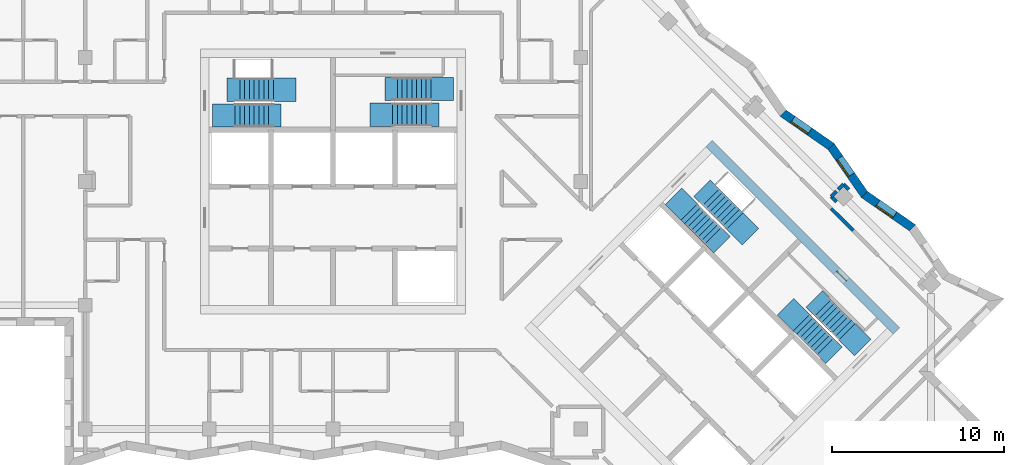
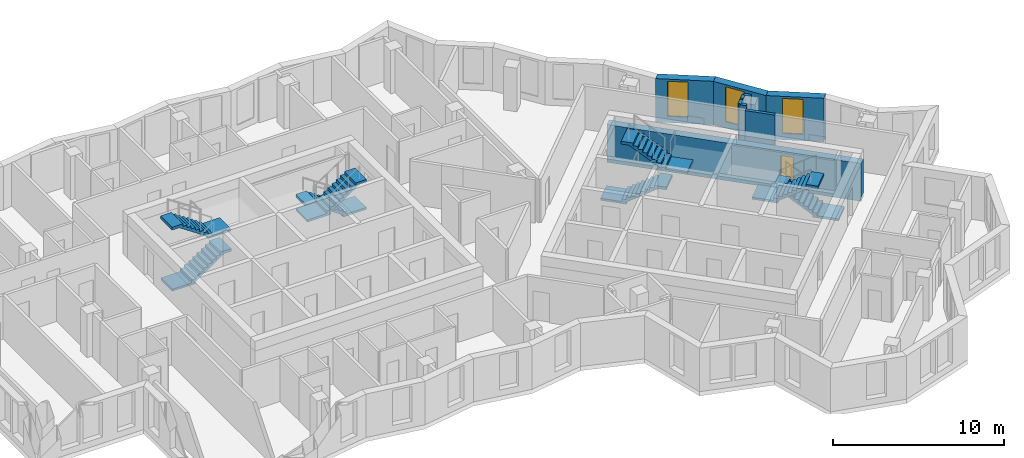
# One storey, part 10 of 13: 9 walls, 8 stair flights, 3 windows, 1 door, 4 openings, 4 elements without a shape of their own.
"""IFC4 building model written with IfcOpenShell, lengths in metres."""

import ifcopenshell
import ifcopenshell.guid

model = None  # the IFC model being written
_history = None  # IfcOwnerHistory: only IFC2X3 demands one
_inside = {}  # id of a spatial element -> (the spatial element, [elements in it])
_under = {}  # id of a project, library or spatial element -> (it, [spatial elements below it])
_declared = {}  # id of a project -> (the project, [libraries it declares])
_typed = {}  # id of a type object -> (the type object, [elements of that type])
_made_of = {}  # id of a material, layer set ... -> (it, [elements and type objects made of it])


def new_model(schema):
    """Start an empty IFC model of exactly this schema.

    Asked for "IFC4X3", IfcOpenShell would pick the latest addendum, in which some entities
    have other attributes; the version numbers below select the first issue.
    IFC2X3 requires an IfcOwnerHistory on every rooted entity: one is made here for all.
    """
    global model, _history
    if schema == "IFC4X3":
        model = ifcopenshell.file(schema_version=(4, 3, 0, 0))
    else:
        model = ifcopenshell.file(schema=schema)
    _inside.clear()
    _under.clear()
    _declared.clear()
    _typed.clear()
    _made_of.clear()
    _history = None
    if model.schema == "IFC2X3":
        org = make("IfcOrganization", Name="unknown")
        user = make(
            "IfcPersonAndOrganization",
            ThePerson=make("IfcPerson", FamilyName="unknown"),
            TheOrganization=org,
        )
        app = make(
            "IfcApplication",
            ApplicationDeveloper=org,
            Version="unknown",
            ApplicationFullName="unknown",
            ApplicationIdentifier="unknown",
        )
        _history = make(
            "IfcOwnerHistory",
            OwningUser=user,
            OwningApplication=app,
            ChangeAction="ADDED",
            CreationDate=0,
        )
    return model


def make(cls, **values):
    """One entity of the class cls with the attributes given. An attribute that is None is left unset."""
    return model.create_entity(
        cls, **{name: value for name, value in values.items() if value is not None}
    )


def rooted(cls, **values):
    """An entity with a GlobalId (a new one), such as an element, a storey or a relation."""
    return make(cls, GlobalId=ifcopenshell.guid.new(), OwnerHistory=_history, **values)


def si_unit(unit_type, name, prefix=None):
    """IfcSIUnit, for example si_unit("LENGTHUNIT", "METRE", prefix="MILLI")."""
    return make("IfcSIUnit", UnitType=unit_type, Prefix=prefix, Name=name)


def assignment(units):
    """IfcUnitAssignment: the units of a project."""
    return None if units is None else make("IfcUnitAssignment", Units=units)


def point(xyz):
    """IfcCartesianPoint."""
    return None if xyz is None else make("IfcCartesianPoint", Coordinates=xyz)


def direction(xyz):
    """IfcDirection."""
    return None if xyz is None else make("IfcDirection", DirectionRatios=xyz)


def frame(location, z_axis=None, x_axis=None):
    """IfcAxis2Placement3D, a coordinate frame: its origin and axes. An axis left out is left unset."""
    return make(
        "IfcAxis2Placement3D",
        Location=point(location),
        Axis=direction(z_axis),
        RefDirection=direction(x_axis),
    )


def frame_2d(location, x_axis=None):
    """IfcAxis2Placement2D, a coordinate frame in the plane: its origin and x axis."""
    return make(
        "IfcAxis2Placement2D", Location=point(location), RefDirection=direction(x_axis)
    )


def origin():
    """The frame at (0, 0, 0) with its axes left unset."""
    return frame((0.0, 0.0, 0.0))


def place(relative_to, where):
    """IfcLocalPlacement: puts the frame where relative to a parent placement (None: the world)."""
    return make(
        "IfcLocalPlacement", PlacementRelTo=relative_to, RelativePlacement=where
    )


def context(
    kind, dimensions, precision=None, world=None, true_north=None, identifier=None
):
    """IfcGeometricRepresentationContext, for example the 3D "Model" context."""
    return make(
        "IfcGeometricRepresentationContext",
        ContextIdentifier=identifier,
        ContextType=kind,
        CoordinateSpaceDimension=dimensions,
        Precision=precision,
        WorldCoordinateSystem=world,
        TrueNorth=true_north,
    )


def subcontext(parent, identifier, kind, view, scale=None):
    """IfcGeometricRepresentationSubContext, for example "Body" below "Model"."""
    return make(
        "IfcGeometricRepresentationSubContext",
        ContextIdentifier=identifier,
        ContextType=kind,
        ParentContext=parent,
        TargetScale=scale,
        TargetView=view,
    )


def project(units=None, contexts=None):
    """IfcProject with its units and contexts."""
    return rooted(
        "IfcProject",
        Name="project",
        RepresentationContexts=contexts,
        UnitsInContext=assignment(units),
    )


def spatial(cls, under=None, at=None, **own):
    """A site, building, storey or space (cls), placed at a placement, below another one or the project."""
    s = rooted(cls, ObjectPlacement=at, **own)
    if under is not None:
        _under.setdefault(under.id(), (under, []))[1].append(s)
    return s


def polyline(points):
    """IfcPolyline through the points."""
    return make("IfcPolyline", Points=[point(p) for p in points])


def profile(cls, at=None, kind="AREA", **sizes):
    """A parametric profile (cls). Its sizes go by their IFC names, for example OverallWidth=200.0."""
    return make(cls, ProfileType=kind, Position=at, **sizes)


def rectangle(**sizes):
    """IfcRectangleProfileDef."""
    return profile("IfcRectangleProfileDef", **sizes)


def outline(outer, holes=None, kind="AREA"):
    """IfcArbitraryClosedProfileDef: a profile drawn as a closed curve; with holes, ...WithVoids."""
    if holes is None:
        return make("IfcArbitraryClosedProfileDef", ProfileType=kind, OuterCurve=outer)
    return make(
        "IfcArbitraryProfileDefWithVoids",
        ProfileType=kind,
        OuterCurve=outer,
        InnerCurves=holes,
    )


def extrude(swept, where, along, depth):
    """IfcExtrudedAreaSolid: the profile swept, set in the frame where, extruded along a direction by depth."""
    return make(
        "IfcExtrudedAreaSolid",
        SweptArea=swept,
        Position=where,
        ExtrudedDirection=direction(along),
        Depth=depth,
    )


def shape(context_of_items, identifier, shape_type, items):
    """IfcShapeRepresentation: the items that make up one representation, for example the "Body"."""
    return make(
        "IfcShapeRepresentation",
        ContextOfItems=context_of_items,
        RepresentationIdentifier=identifier,
        RepresentationType=shape_type,
        Items=items,
    )


def material(Name=None, Category=None):
    """IfcMaterial."""
    return make("IfcMaterial", Name=Name, Category=Category)


def layer(
    of_material, thickness, ventilated=None, Name=None, Category=None, Priority=None
):
    """IfcMaterialLayer: one layer of a wall or slab, of a material (None: an air gap)."""
    return make(
        "IfcMaterialLayer",
        Material=of_material,
        LayerThickness=thickness,
        IsVentilated=ventilated,
        Name=Name,
        Category=Category,
        Priority=Priority,
    )


def layer_set(layers, Name=None):
    """IfcMaterialLayerSet."""
    return make("IfcMaterialLayerSet", MaterialLayers=layers, LayerSetName=Name)


def made_of(thing, what):
    """Note that an element or type object is made of a material, layer set ...; save() writes the relation."""
    if what is not None:
        _made_of.setdefault(what.id(), (what, []))[1].append(thing)
    return thing


def type_object(cls, material=None, **own):
    """A type object (cls), such as IfcWallType, which elements share."""
    return made_of(rooted(cls, **own), material)


def element(
    cls,
    number,
    at=None,
    inside=None,
    cuts=None,
    type_object=None,
    material=None,
    context=None,
    identifier="Body",
    shape_type=None,
    held_by="IfcProductDefinitionShape",
    body=None,
    shapes=None,
    **own,
):
    """One element of the class cls, such as IfcWall. Its Tag is "e" and its number.

    at: its placement. inside: the storey or other place that contains it. cuts: it is an
    opening in that element (IfcRelVoidsElement). A single representation is given by context,
    identifier, shape_type and body (its items); several are given by shapes. held_by: the class
    of the entity that holds the representations. save() writes the other relations.
    """
    e = rooted(cls, Tag="e%d" % number, ObjectPlacement=at, **own)
    if body is not None:
        shapes = [shape(context, identifier, shape_type, body)]
    if shapes is not None:
        e.Representation = make(held_by, Representations=shapes)
    if inside is not None:
        _inside.setdefault(inside.id(), (inside, []))[1].append(e)
    if cuts is not None:
        rooted(
            "IfcRelVoidsElement", RelatingBuildingElement=cuts, RelatedOpeningElement=e
        )
    if type_object is not None:
        _typed.setdefault(type_object.id(), (type_object, []))[1].append(e)
    return made_of(e, material)


def fill(opening, filler):
    """IfcRelFillsElement: the door or window that sits in an opening."""
    return rooted(
        "IfcRelFillsElement",
        RelatingOpeningElement=opening,
        RelatedBuildingElement=filler,
    )


def aggregate(whole, parts):
    """IfcRelAggregates: a whole, such as a stair, and the parts it consists of."""
    return rooted("IfcRelAggregates", RelatingObject=whole, RelatedObjects=parts)


def save(model, path):
    """Write the relations noted so far, then the file.

    IfcRelAggregates (storeys below a building ...), IfcRelContainedInSpatialStructure (elements
    in a storey), IfcRelDefinesByType, IfcRelAssociatesMaterial and IfcRelDeclares: one each for
    every whole, place, type object, material and project.
    """
    for whole, parts in _under.values():
        aggregate(whole, parts)
    for where, things in _inside.values():
        rooted(
            "IfcRelContainedInSpatialStructure",
            RelatedElements=things,
            RelatingStructure=where,
        )
    for kind, things in _typed.values():
        rooted("IfcRelDefinesByType", RelatedObjects=things, RelatingType=kind)
    for what, things in _made_of.values():
        rooted("IfcRelAssociatesMaterial", RelatedObjects=things, RelatingMaterial=what)
    for by, libraries in _declared.values():
        rooted("IfcRelDeclares", RelatingContext=by, RelatedDefinitions=libraries)
    model.write(path)


model = new_model("IFC4")

# Units and contexts
model_context = context("Model", 3, precision=1e-05, world=origin(), true_north=direction((0.0, 1.0)))
body_context = subcontext(model_context, "Body", "Model", "MODEL_VIEW")
ifc_project = project(units=[si_unit("LENGTHUNIT", "METRE"), si_unit("AREAUNIT", "SQUARE_METRE"), si_unit("VOLUMEUNIT", "CUBIC_METRE"), si_unit("PLANEANGLEUNIT", "RADIAN"), si_unit("MASSUNIT", "GRAM", prefix="KILO")], contexts=[model_context])

# Site, building, storey
site_placement = place(None, origin())
site = spatial("IfcSite", under=ifc_project, at=site_placement, CompositionType="ELEMENT")
building_placement = place(site_placement, origin())
building = spatial("IfcBuilding", under=site, at=building_placement, Name="Windrow Commons", CompositionType="ELEMENT")
storey_placement = place(building_placement, frame((0.0, 0.0, 223.6)))
storey = spatial("IfcBuildingStorey", under=building, at=storey_placement, Name="L61", CompositionType="ELEMENT", Elevation=223.6)

# Wall, opening, window
ifc_material_1 = material(Name="Brick masonry, red clay brick", Category="masonry")
ifc_layer_1 = layer(ifc_material_1, 0.5)
ifc_layer_set_1 = layer_set([ifc_layer_1], Name="Brick facade wall 500")
wall_type_1 = type_object("IfcWallType", Name="Brick facade wall 500", PredefinedType="SOLIDWALL", material=ifc_layer_set_1)
wall_1_placement = place(storey_placement, frame((98.4827, 54.9079, 0.0), z_axis=(0.0, 0.0, 1.0), x_axis=(-0.8215041665, 0.5702025117, 0.0)))
wall_1 = element("IfcWall", 1, at=wall_1_placement, inside=storey, type_object=wall_type_1, Name="Brick facade wall L61 9", PredefinedType="SOLIDWALL", context=body_context, shape_type="SweptSolid", body=[
    extrude(outline(polyline([(-0.0451, -0.25), (3.3484, -0.25), (3.4387, 0.25), (0.0451, 0.25), (-0.0451, -0.25)])), origin(), (0.0, 0.0, 1.0), 3.1),
])
opening_1_placement = place(wall_1_placement, frame((1.2614, 0.0, 0.45)))
opening_1 = element("IfcOpeningElement", 2, at=opening_1_placement, cuts=wall_1, Name="Opening W7E", PredefinedType="OPENING", context=body_context, shape_type="SweptSolid", body=[
    extrude(rectangle(XDim=1.2, YDim=2.5, at=frame_2d((0.6, 1.25))), frame((0.0, 0.26, 0.0), z_axis=(0.0, -1.0, 0.0), x_axis=(1.0, 0.0, 0.0)), (0.0, 0.0, 1.0), 0.52),
])
ifc_material_2 = material(Name="Clear float glass in anodised aluminium frame", Category="aluminium")
window_type = type_object("IfcWindowType", Name="Window W7 notch 1200x2500", PartitioningType="SINGLE_PANEL", PredefinedType="WINDOW", material=ifc_material_2)
window_1_placement = place(opening_1_placement, origin())
window_1 = element("IfcWindow", 3, at=window_1_placement, inside=storey, type_object=window_type, Name="Window L61 9.1", OverallHeight=2.5, OverallWidth=1.2, PartitioningType="SINGLE_PANEL", PredefinedType="WINDOW", context=body_context, shape_type="SweptSolid", body=[
    extrude(rectangle(XDim=1.2, YDim=2.5, at=frame_2d((0.6, 1.25))), frame((0.0, 0.18, 0.0), z_axis=(0.0, -1.0, 0.0), x_axis=(1.0, 0.0, 0.0)), (0.0, 0.0, 1.0), 0.06),
])
fill(opening_1, window_1)

wall_2_placement = place(storey_placement, frame((95.6949, 56.8429, 0.0), z_axis=(0.0, 0.0, 1.0), x_axis=(-0.5702025117, 0.8215041665, 0.0)))
wall_2 = element("IfcWall", 4, at=wall_2_placement, inside=storey, type_object=wall_type_1, Name="Brick facade wall L61 10", PredefinedType="SOLIDWALL", context=body_context, shape_type="SweptSolid", body=[
    extrude(outline(polyline([(0.0451, -0.25), (3.4387, -0.25), (3.3484, 0.25), (-0.0451, 0.25), (0.0451, -0.25)])), origin(), (0.0, 0.0, 1.0), 3.1),
])
opening_2_placement = place(wall_2_placement, frame((1.3712, 0.0, 0.45)))
opening_2 = element("IfcOpeningElement", 5, at=opening_2_placement, cuts=wall_2, Name="Opening W7E", PredefinedType="OPENING", context=body_context, shape_type="SweptSolid", body=[
    extrude(rectangle(XDim=1.2, YDim=2.5, at=frame_2d((0.6, 1.25))), frame((0.0, 0.26, 0.0), z_axis=(0.0, -1.0, 0.0), x_axis=(1.0, 0.0, 0.0)), (0.0, 0.0, 1.0), 0.52),
])
window_2_placement = place(opening_2_placement, origin())
window_2 = element("IfcWindow", 6, at=window_2_placement, inside=storey, type_object=window_type, Name="Window L61 10.1", OverallHeight=2.5, OverallWidth=1.2, PartitioningType="SINGLE_PANEL", PredefinedType="WINDOW", context=body_context, shape_type="SweptSolid", body=[
    extrude(rectangle(XDim=1.2, YDim=2.5, at=frame_2d((0.6, 1.25))), frame((0.0, 0.18, 0.0), z_axis=(0.0, -1.0, 0.0), x_axis=(1.0, 0.0, 0.0)), (0.0, 0.0, 1.0), 0.06),
])
fill(opening_2, window_2)

wall_3_placement = place(storey_placement, frame((93.7599, 59.6307, 0.0), z_axis=(0.0, 0.0, 1.0), x_axis=(-0.8215041665, 0.5702025117, 0.0)))
wall_3 = element("IfcWall", 7, at=wall_3_placement, inside=storey, type_object=wall_type_1, Name="Brick facade wall L61 11", PredefinedType="SOLIDWALL", context=body_context, shape_type="SweptSolid", body=[
    extrude(outline(polyline([(-0.0451, -0.25), (3.3484, -0.25), (3.4387, 0.25), (0.0451, 0.25), (-0.0451, -0.25)])), origin(), (0.0, 0.0, 1.0), 3.1),
])
opening_3_placement = place(wall_3_placement, frame((1.5261, 0.0, 0.45)))
opening_3 = element("IfcOpeningElement", 8, at=opening_3_placement, cuts=wall_3, Name="Opening W7E", PredefinedType="OPENING", context=body_context, shape_type="SweptSolid", body=[
    extrude(rectangle(XDim=1.2, YDim=2.5, at=frame_2d((0.6, 1.25))), frame((0.0, 0.26, 0.0), z_axis=(0.0, -1.0, 0.0), x_axis=(1.0, 0.0, 0.0)), (0.0, 0.0, 1.0), 0.52),
])
window_3_placement = place(opening_3_placement, origin())
window_3 = element("IfcWindow", 9, at=window_3_placement, inside=storey, type_object=window_type, Name="Window L61 11.1", OverallHeight=2.5, OverallWidth=1.2, PartitioningType="SINGLE_PANEL", PredefinedType="WINDOW", context=body_context, shape_type="SweptSolid", body=[
    extrude(rectangle(XDim=1.2, YDim=2.5, at=frame_2d((0.6, 1.25))), frame((0.0, 0.18, 0.0), z_axis=(0.0, -1.0, 0.0), x_axis=(1.0, 0.0, 0.0)), (0.0, 0.0, 1.0), 0.06),
])
fill(opening_3, window_3)

# Walls
ifc_material_3 = material(Name="Blockwork partition", Category="masonry")
ifc_layer_2 = layer(ifc_material_3, 0.2)
ifc_layer_set_2 = layer_set([ifc_layer_2], Name="IW-CORRIDOR-200")
wall_type_2 = type_object("IfcWallType", Name="IW-CORRIDOR-200", PredefinedType="PARTITIONING", material=ifc_layer_set_2)
wall_4_placement = place(storey_placement, frame((93.7634, 56.0174, 0.0), z_axis=(0.0, 0.0, 1.0), x_axis=(0.7076620277, -0.7065510983, 0.0)))
element("IfcWall", 10, at=wall_4_placement, inside=storey, type_object=wall_type_2, Name="W-L61-W124", PredefinedType="PARTITIONING", context=body_context, shape_type="SweptSolid", body=[
    extrude(rectangle(XDim=1.8003, YDim=0.2, at=frame_2d((0.9002, 0.0))), origin(), (0.0, 0.0, 1.0), 3.1),
])
ifc_material_4 = material(Name="Blockwork partition", Category="masonry")
ifc_layer_3 = layer(ifc_material_4, 0.2)
ifc_layer_set_3 = layer_set([ifc_layer_3], Name="IW-PARTY-200")
wall_type_3 = type_object("IfcWallType", Name="IW-PARTY-200", PredefinedType="PARTITIONING", material=ifc_layer_set_3)
for number, where, z_axis, x_axis, name in (
    (11, (93.7611, 56.7229, 0.0), (0.0, 0.0, 1.0), (0.7071067812, 0.7071067812, 0.0), "W-L61-W170"),
    (12, (94.1651, 57.1269, 0.0), (0.0, 0.0, 1.0), (0.7071067812, 0.7071067812, 0.0), "W-L61-W171"),
):
    element("IfcWall", number, at=place(storey_placement, frame(where, z_axis=z_axis, x_axis=x_axis)), inside=storey, type_object=wall_type_3, Name=name, PredefinedType="PARTITIONING", context=body_context, shape_type="SweptSolid", body=[
        extrude(rectangle(XDim=0.4412, YDim=0.2, at=frame_2d((0.2206, 0.0))), origin(), (0.0, 0.0, 1.0), 3.1),
    ])
for number, where, z_axis, x_axis, name in (
    (13, (94.4748, 57.4348, 0.0), (0.0, 0.0, 1.0), (0.7048294823, -0.7093767693, 0.0), "W-L61-W172"),
    (14, (93.7595, 56.7195, 0.0), (0.0, 0.0, 1.0), (0.7093767693, -0.7048294823, 0.0), "W-L61-W173"),
):
    element("IfcWall", number, at=place(storey_placement, frame(where, z_axis=z_axis, x_axis=x_axis)), inside=storey, type_object=wall_type_3, Name=name, PredefinedType="PARTITIONING", context=body_context, shape_type="SweptSolid", body=[
        extrude(rectangle(XDim=0.4398, YDim=0.2, at=frame_2d((0.2199, 0.0))), origin(), (0.0, 0.0, 1.0), 3.1),
    ])

# Wall, opening, door
ifc_material_5 = material(Name="Concrete C40/50", Category="concrete")
ifc_layer_4 = layer(ifc_material_5, 0.5)
ifc_layer_set_4 = layer_set([ifc_layer_4], Name="RC CORE WALL 500 C40/50")
wall_type_4 = type_object("IfcWallType", Name="RC CORE WALL 500 C40/50", PredefinedType="SHEAR", material=ifc_layer_set_4)
wall_5_placement = place(storey_placement, frame((86.66, 59.8024, -0.3), z_axis=(0.0, 0.0, 1.0), x_axis=(0.7071067812, -0.7071067812, 0.0)))
wall_5 = element("IfcWall", 15, at=wall_5_placement, inside=storey, type_object=wall_type_4, Name="Core B wall outer-N", PredefinedType="SHEAR", context=body_context, shape_type="SweptSolid", body=[
    extrude(rectangle(XDim=15.3999, YDim=0.5, at=frame_2d((7.7, 0.0))), origin(), (0.0, 0.0, 1.0), 2.7),
])
opening_4_placement = place(wall_5_placement, frame((10.5, 0.0, 0.3)))
opening_4 = element("IfcOpeningElement", 16, at=opening_4_placement, cuts=wall_5, Name="Opening D9", PredefinedType="OPENING", context=body_context, shape_type="SweptSolid", body=[
    extrude(rectangle(XDim=0.8, YDim=2.1, at=frame_2d((0.4, 1.05))), frame((0.0, 0.26, 0.0), z_axis=(0.0, -1.0, 0.0), x_axis=(1.0, 0.0, 0.0)), (0.0, 0.0, 1.0), 0.52),
])
ifc_material_6 = material(Name="Steel fire door leaf", Category="steel")
door_type = type_object("IfcDoorType", Name="Riser access door 800", OperationType="SINGLE_SWING_LEFT", PredefinedType="DOOR", material=ifc_material_6)
door_placement = place(opening_4_placement, origin())
door = element("IfcDoor", 17, at=door_placement, inside=storey, type_object=door_type, Name="Riser access door", OperationType="SINGLE_SWING_RIGHT", OverallHeight=2.1, OverallWidth=0.8, PredefinedType="DOOR", context=body_context, shape_type="SweptSolid", body=[
    extrude(rectangle(XDim=0.8, YDim=2.1, at=frame_2d((0.4, 1.05))), frame((0.0, 0.025, 0.0), z_axis=(0.0, -1.0, 0.0), x_axis=(1.0, 0.0, 0.0)), (0.0, 0.0, 1.0), 0.05),
])
fill(opening_4, door)

# Stair, stair flights
ifc_material_7 = material(Name="Concrete C40/50", Category="concrete")
stair_type = type_object("IfcStairType", Name="Core stair", PredefinedType="HALF_TURN_STAIR", material=ifc_material_7)
placement = place(storey_placement, origin())
stair_1 = element("IfcStair", 18, at=placement, inside=storey, type_object=stair_type, Name="L61 Exit stair A1 core A", PredefinedType="HALF_TURN_STAIR")
ifc_material_8 = material(Name="Concrete C40/50", Category="concrete")
stair_flight_type = type_object("IfcStairFlightType", Name="Core stair flight", PredefinedType="STRAIGHT", material=ifc_material_8)
stair_flight_1_placement = place(storey_placement, frame((59.1, 61.425, 0.0), z_axis=(0.0, 0.0, 1.0), x_axis=(1.0, 0.0, 0.0)))
stair_flight_1 = element("IfcStairFlight", 19, at=stair_flight_1_placement, type_object=stair_flight_type, Name="ST-A1 flight 1", NumberOfRisers=9, NumberOfTreads=8, PredefinedType="STRAIGHT", RiserHeight=0.188888889, TreadLength=0.28, context=body_context, shape_type="SweptSolid", body=[
    extrude(outline(polyline([(-1.3, -0.15), (-1.3, 0.0), (0.0, 0.0), (0.0, 0.1889), (0.28, 0.1889), (0.28, 0.3778), (0.56, 0.3778), (0.56, 0.5667), (0.84, 0.5667), (0.84, 0.7556), (1.12, 0.7556), (1.12, 0.9444), (1.4, 0.9444), (1.4, 1.1333), (1.68, 1.1333), (1.68, 1.3222), (1.96, 1.3222), (1.96, 1.5111), (2.24, 1.5111), (2.69, 1.5111), (2.69, 1.3111), (2.24, 1.3111), (2.24, 1.3302), (0.2682, 0.0), (0.2682, -0.15), (-1.3, -0.15)])), frame((0.0, 0.675, 0.0), z_axis=(0.0, -1.0, 0.0), x_axis=(1.0, 0.0, 0.0)), (0.0, 0.0, 1.0), 1.35),
])
stair_flight_2_placement = place(storey_placement, frame((61.34, 62.925, 1.7), z_axis=(0.0, 0.0, 1.0), x_axis=(-1.0, 0.0, 0.0)))
stair_flight_2 = element("IfcStairFlight", 20, at=stair_flight_2_placement, type_object=stair_flight_type, Name="ST-A1 flight 2", NumberOfRisers=9, NumberOfTreads=8, PredefinedType="STRAIGHT", RiserHeight=0.188888889, TreadLength=0.28, context=body_context, shape_type="SweptSolid", body=[
    extrude(outline(polyline([(-1.3, -0.15), (-1.3, 0.0), (0.0, 0.0), (0.0, 0.1889), (0.28, 0.1889), (0.28, 0.3778), (0.56, 0.3778), (0.56, 0.5667), (0.84, 0.5667), (0.84, 0.7556), (1.12, 0.7556), (1.12, 0.9444), (1.4, 0.9444), (1.4, 1.1333), (1.68, 1.1333), (1.68, 1.3222), (1.96, 1.3222), (1.96, 1.5111), (2.24, 1.5111), (2.69, 1.5111), (2.69, 1.3111), (2.24, 1.3111), (2.24, 1.3302), (0.2682, 0.0), (0.2682, -0.15), (-1.3, -0.15)])), frame((0.0, 0.675, 0.0), z_axis=(0.0, -1.0, 0.0), x_axis=(1.0, 0.0, 0.0)), (0.0, 0.0, 1.0), 1.35),
])
aggregate(stair_1, [stair_flight_1, stair_flight_2])

stair_2 = element("IfcStair", 21, at=placement, inside=storey, type_object=stair_type, Name="L61 Exit stair A2 core A", PredefinedType="HALF_TURN_STAIR")
stair_flight_3_placement = place(storey_placement, frame((70.5, 62.98, 0.0), z_axis=(0.0, 0.0, 1.0), x_axis=(-1.0, 0.0, 0.0)))
stair_flight_3 = element("IfcStairFlight", 22, at=stair_flight_3_placement, type_object=stair_flight_type, Name="ST-A2 flight 1", NumberOfRisers=9, NumberOfTreads=8, PredefinedType="STRAIGHT", RiserHeight=0.188888889, TreadLength=0.28, context=body_context, shape_type="SweptSolid", body=[
    extrude(outline(polyline([(-1.3, -0.15), (-1.3, 0.0), (0.0, 0.0), (0.0, 0.1889), (0.28, 0.1889), (0.28, 0.3778), (0.56, 0.3778), (0.56, 0.5667), (0.84, 0.5667), (0.84, 0.7556), (1.12, 0.7556), (1.12, 0.9444), (1.4, 0.9444), (1.4, 1.1333), (1.68, 1.1333), (1.68, 1.3222), (1.96, 1.3222), (1.96, 1.5111), (2.24, 1.5111), (2.69, 1.5111), (2.69, 1.3111), (2.24, 1.3111), (2.24, 1.3302), (0.2682, 0.0), (0.2682, -0.15), (-1.3, -0.15)])), frame((0.0, 0.675, 0.0), z_axis=(0.0, -1.0, 0.0), x_axis=(1.0, 0.0, 0.0)), (0.0, 0.0, 1.0), 1.35),
])
stair_flight_4_placement = place(storey_placement, frame((68.26, 61.48, 1.7), z_axis=(0.0, 0.0, 1.0), x_axis=(1.0, 0.0, 0.0)))
stair_flight_4 = element("IfcStairFlight", 23, at=stair_flight_4_placement, type_object=stair_flight_type, Name="ST-A2 flight 2", NumberOfRisers=9, NumberOfTreads=8, PredefinedType="STRAIGHT", RiserHeight=0.188888889, TreadLength=0.28, context=body_context, shape_type="SweptSolid", body=[
    extrude(outline(polyline([(-1.3, -0.15), (-1.3, 0.0), (0.0, 0.0), (0.0, 0.1889), (0.28, 0.1889), (0.28, 0.3778), (0.56, 0.3778), (0.56, 0.5667), (0.84, 0.5667), (0.84, 0.7556), (1.12, 0.7556), (1.12, 0.9444), (1.4, 0.9444), (1.4, 1.1333), (1.68, 1.1333), (1.68, 1.3222), (1.96, 1.3222), (1.96, 1.5111), (2.24, 1.5111), (2.69, 1.5111), (2.69, 1.3111), (2.24, 1.3111), (2.24, 1.3302), (0.2682, 0.0), (0.2682, -0.15), (-1.3, -0.15)])), frame((0.0, 0.675, 0.0), z_axis=(0.0, -1.0, 0.0), x_axis=(1.0, 0.0, 0.0)), (0.0, 0.0, 1.0), 1.35),
])
aggregate(stair_2, [stair_flight_3, stair_flight_4])

stair_3 = element("IfcStair", 24, at=placement, inside=storey, type_object=stair_type, Name="L61 Exit stair B1 core B", PredefinedType="HALF_TURN_STAIR")
stair_flight_5_placement = place(storey_placement, frame((85.5109, 55.8249, 0.0), z_axis=(0.0, 0.0, 1.0), x_axis=(0.7071067812, -0.7071067812, 0.0)))
stair_flight_5 = element("IfcStairFlight", 25, at=stair_flight_5_placement, type_object=stair_flight_type, Name="ST-B1 flight 1", NumberOfRisers=9, NumberOfTreads=8, PredefinedType="STRAIGHT", RiserHeight=0.188888889, TreadLength=0.28, context=body_context, shape_type="SweptSolid", body=[
    extrude(outline(polyline([(-1.3, -0.15), (-1.3, 0.0), (0.0, 0.0), (0.0, 0.1889), (0.28, 0.1889), (0.28, 0.3778), (0.56, 0.3778), (0.56, 0.5667), (0.84, 0.5667), (0.84, 0.7556), (1.12, 0.7556), (1.12, 0.9444), (1.4, 0.9444), (1.4, 1.1333), (1.68, 1.1333), (1.68, 1.3222), (1.96, 1.3222), (1.96, 1.5111), (2.24, 1.5111), (2.69, 1.5111), (2.69, 1.3111), (2.24, 1.3111), (2.24, 1.3302), (0.2682, 0.0), (0.2682, -0.15), (-1.3, -0.15)])), frame((0.0, 0.675, 0.0), z_axis=(0.0, -1.0, 0.0), x_axis=(1.0, 0.0, 0.0)), (0.0, 0.0, 1.0), 1.35),
])
stair_flight_6_placement = place(storey_placement, frame((88.1555, 55.3017, 1.7), z_axis=(0.0, 0.0, 1.0), x_axis=(-0.7071067812, 0.7071067812, 0.0)))
stair_flight_6 = element("IfcStairFlight", 26, at=stair_flight_6_placement, type_object=stair_flight_type, Name="ST-B1 flight 2", NumberOfRisers=9, NumberOfTreads=8, PredefinedType="STRAIGHT", RiserHeight=0.188888889, TreadLength=0.28, context=body_context, shape_type="SweptSolid", body=[
    extrude(outline(polyline([(-1.3, -0.15), (-1.3, 0.0), (0.0, 0.0), (0.0, 0.1889), (0.28, 0.1889), (0.28, 0.3778), (0.56, 0.3778), (0.56, 0.5667), (0.84, 0.5667), (0.84, 0.7556), (1.12, 0.7556), (1.12, 0.9444), (1.4, 0.9444), (1.4, 1.1333), (1.68, 1.1333), (1.68, 1.3222), (1.96, 1.3222), (1.96, 1.5111), (2.24, 1.5111), (2.69, 1.5111), (2.69, 1.3111), (2.24, 1.3111), (2.24, 1.3302), (0.2682, 0.0), (0.2682, -0.15), (-1.3, -0.15)])), frame((0.0, 0.675, 0.0), z_axis=(0.0, -1.0, 0.0), x_axis=(1.0, 0.0, 0.0)), (0.0, 0.0, 1.0), 1.35),
])
aggregate(stair_3, [stair_flight_5, stair_flight_6])

stair_4 = element("IfcStair", 27, at=placement, inside=storey, type_object=stair_type, Name="L61 Exit stair B2 core B", PredefinedType="HALF_TURN_STAIR")
stair_flight_7_placement = place(storey_placement, frame((94.6715, 48.8635, 0.0), z_axis=(0.0, 0.0, 1.0), x_axis=(-0.7071067812, 0.7071067812, 0.0)))
stair_flight_7 = element("IfcStairFlight", 28, at=stair_flight_7_placement, type_object=stair_flight_type, Name="ST-B2 flight 1", NumberOfRisers=9, NumberOfTreads=8, PredefinedType="STRAIGHT", RiserHeight=0.188888889, TreadLength=0.28, context=body_context, shape_type="SweptSolid", body=[
    extrude(outline(polyline([(-1.3, -0.15), (-1.3, 0.0), (0.0, 0.0), (0.0, 0.1889), (0.28, 0.1889), (0.28, 0.3778), (0.56, 0.3778), (0.56, 0.5667), (0.84, 0.5667), (0.84, 0.7556), (1.12, 0.7556), (1.12, 0.9444), (1.4, 0.9444), (1.4, 1.1333), (1.68, 1.1333), (1.68, 1.3222), (1.96, 1.3222), (1.96, 1.5111), (2.24, 1.5111), (2.69, 1.5111), (2.69, 1.3111), (2.24, 1.3111), (2.24, 1.3302), (0.2682, 0.0), (0.2682, -0.15), (-1.3, -0.15)])), frame((0.0, 0.675, 0.0), z_axis=(0.0, -1.0, 0.0), x_axis=(1.0, 0.0, 0.0)), (0.0, 0.0, 1.0), 1.35),
])
stair_flight_8_placement = place(storey_placement, frame((92.0269, 49.3867, 1.7), z_axis=(0.0, 0.0, 1.0), x_axis=(0.7071067812, -0.7071067812, 0.0)))
stair_flight_8 = element("IfcStairFlight", 29, at=stair_flight_8_placement, type_object=stair_flight_type, Name="ST-B2 flight 2", NumberOfRisers=9, NumberOfTreads=8, PredefinedType="STRAIGHT", RiserHeight=0.188888889, TreadLength=0.28, context=body_context, shape_type="SweptSolid", body=[
    extrude(outline(polyline([(-1.3, -0.15), (-1.3, 0.0), (0.0, 0.0), (0.0, 0.1889), (0.28, 0.1889), (0.28, 0.3778), (0.56, 0.3778), (0.56, 0.5667), (0.84, 0.5667), (0.84, 0.7556), (1.12, 0.7556), (1.12, 0.9444), (1.4, 0.9444), (1.4, 1.1333), (1.68, 1.1333), (1.68, 1.3222), (1.96, 1.3222), (1.96, 1.5111), (2.24, 1.5111), (2.69, 1.5111), (2.69, 1.3111), (2.24, 1.3111), (2.24, 1.3302), (0.2682, 0.0), (0.2682, -0.15), (-1.3, -0.15)])), frame((0.0, 0.675, 0.0), z_axis=(0.0, -1.0, 0.0), x_axis=(1.0, 0.0, 0.0)), (0.0, 0.0, 1.0), 1.35),
])
aggregate(stair_4, [stair_flight_7, stair_flight_8])

save(model, "model.ifc")
